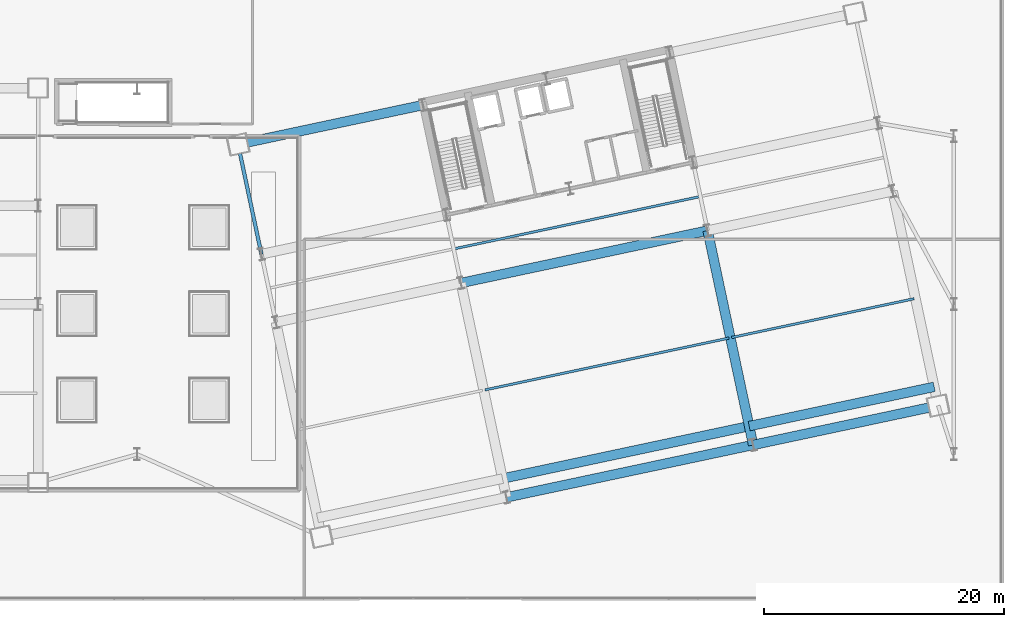
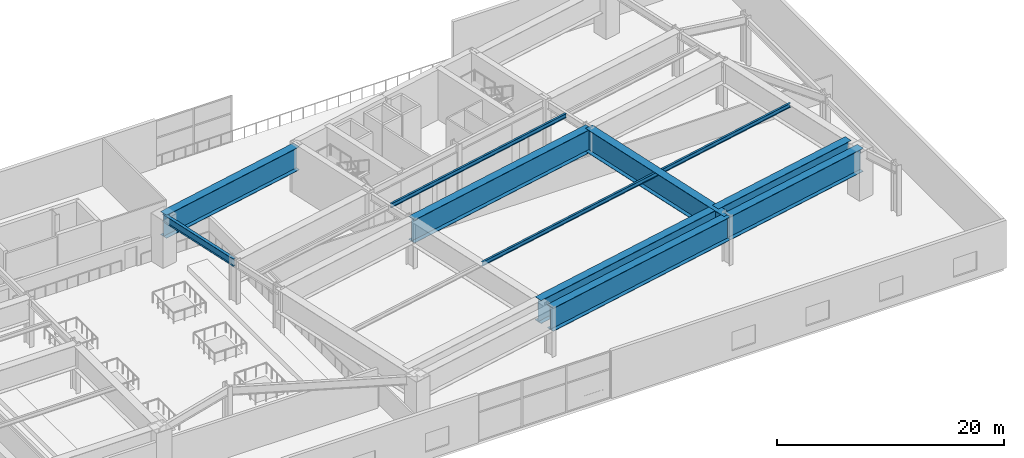
# One storey, part 11 of 29: 11 beams.
"""IFC4 building model written with IfcOpenShell, lengths in metres."""

from ifc_helpers import new_model, si_unit, direction, frame, origin, origin_2d, place, context, subcontext, project, spatial, i_section, extrude, material, material_profile, profile_set, type_object, element, save


model = new_model("IFC4")

# Units and contexts
model_context = context("Model", 3, precision=1e-05, world=origin(), true_north=direction((0.0, 1.0)))
body_context = subcontext(model_context, "Body", "Model", "MODEL_VIEW")
ifc_project = project(units=[si_unit("LENGTHUNIT", "METRE"), si_unit("AREAUNIT", "SQUARE_METRE"), si_unit("VOLUMEUNIT", "CUBIC_METRE"), si_unit("PLANEANGLEUNIT", "RADIAN"), si_unit("MASSUNIT", "GRAM", prefix="KILO")], contexts=[model_context])

# Site, building, storey
site_placement = place(None, origin())
site = spatial("IfcSite", under=ifc_project, at=site_placement, CompositionType="ELEMENT")
building_placement = place(site_placement, origin())
building = spatial("IfcBuilding", under=site, at=building_placement, Name="Haevon Station Towers", CompositionType="ELEMENT")
storey_placement = place(building_placement, frame((0.0, 0.0, 25.199951171875)))
storey = spatial("IfcBuildingStorey", under=building, at=storey_placement, Name="L05", CompositionType="ELEMENT", Elevation=25.199951171875)

# Beams
ifc_material_1 = material(Name="Steel S355", Category="steel")
ifc_material_profile_1 = material_profile(ifc_material_1, i_section(OverallWidth=0.199951171875, OverallDepth=0.449951171875, WebThickness=0.009033203125, FlangeThickness=0.013916015625, at=origin_2d()), Name="H-450x200x9x14")
ifc_profile_set_1 = profile_set([ifc_material_profile_1], Name="Steel S355")
beam_type_1 = type_object("IfcBeamType", Name="BM-J450", PredefinedType="JOIST", material=ifc_profile_set_1)
beam_1_placement = place(storey_placement, frame((101.963134765625, 22.866455078125, 4.925048828125), z_axis=(0.97814804034, 0.207909622623, 0.0), x_axis=(-0.207909622623, 0.97814804034, 0.0)))
element("IfcBeam", 1, at=beam_1_placement, inside=storey, type_object=beam_type_1, Name="BM-T2J-L05-01-02", PredefinedType="JOIST", context=body_context, shape_type="SweptSolid", body=[
    extrude(i_section(OverallWidth=0.199951171875, OverallDepth=0.449951171875, WebThickness=0.009033203125, FlangeThickness=0.013916015625, at=origin_2d()), origin(), (0.0, 0.0, 1.0), 20.77978515625),
])
beam_2_placement = place(storey_placement, frame((122.504150390625, 27.232666015625, 4.925048828125), z_axis=(0.978149141128, 0.207904443699, 0.0), x_axis=(-0.207904443699, 0.978149141128, 0.0)))
element("IfcBeam", 2, at=beam_2_placement, inside=storey, type_object=beam_type_1, Name="BM-T2J-L05-01-03", PredefinedType="JOIST", context=body_context, shape_type="SweptSolid", body=[
    extrude(i_section(OverallWidth=0.199951171875, OverallDepth=0.449951171875, WebThickness=0.009033203125, FlangeThickness=0.013916015625, at=origin_2d()), origin(), (0.0, 0.0, 1.0), 15.530029296875),
])
beam_3_placement = place(storey_placement, frame((99.462890625, 34.628662109375, 4.925048828125), z_axis=(0.978148548197, 0.207907233306, 0.0), x_axis=(-0.207907233306, 0.978148548197, 0.0)))
element("IfcBeam", 3, at=beam_3_placement, inside=storey, type_object=beam_type_1, Name="BM-T2J-L05-02-02", PredefinedType="JOIST", context=body_context, shape_type="SweptSolid", body=[
    extrude(i_section(OverallWidth=0.199951171875, OverallDepth=0.449951171875, WebThickness=0.009033203125, FlangeThickness=0.013916015625, at=origin_2d()), origin(), (0.0, 0.0, 1.0), 20.780029296875),
])
ifc_material_profile_2 = material_profile(ifc_material_1, i_section(OverallWidth=0.300048828125, OverallDepth=0.800048828125, WebThickness=0.013916015625, FlangeThickness=0.02587890625, at=origin_2d()), Name="H-800x300x14x26")
ifc_profile_set_2 = profile_set([ifc_material_profile_2], Name="Steel S355")
beam_type_2 = type_object("IfcBeamType", Name="BM-PG800", PredefinedType="BEAM", material=ifc_profile_set_2)
beam_4_placement = place(storey_placement, frame((83.346435546875, 34.167724609375, 4.75), z_axis=(-0.207897167074, 0.978150687738, 0.0), x_axis=(-0.978150687738, -0.207897167074, 0.0)))
element("IfcBeam", 4, at=beam_4_placement, inside=storey, type_object=beam_type_2, Name="BM-T2V-L05-01-03", PredefinedType="BEAM", context=body_context, shape_type="SweptSolid", body=[
    extrude(i_section(OverallWidth=0.300048828125, OverallDepth=0.800048828125, WebThickness=0.013916015625, FlangeThickness=0.02587890625, at=origin_2d()), origin(), (0.0, 0.0, 1.0), 9.35009765625),
])
ifc_material_2 = material(Name="Steel S460", Category="steel")
ifc_material_profile_3 = material_profile(ifc_material_2, i_section(OverallWidth=0.800048828125, OverallDepth=2.5, WebThickness=0.031982421875, FlangeThickness=0.0400390625, at=origin_2d()), Name="H-2500x800x32x40")
ifc_profile_set_3 = profile_set([ifc_material_profile_3], Name="Steel S460")
beam_type_3 = type_object("IfcBeamType", Name="BM-TG2500", PredefinedType="BEAM", material=ifc_profile_set_3)
beam_5_placement = place(storey_placement, frame((103.752685546875, 13.91796875, 3.900146484375), z_axis=(0.978146794194, 0.207915485254, 0.0), x_axis=(-0.207915485254, 0.978146794194, 0.0)))
element("IfcBeam", 5, at=beam_5_placement, inside=storey, type_object=beam_type_3, Name="BM-T2U-L05-01-02", PredefinedType="BEAM", context=body_context, shape_type="SweptSolid", body=[
    extrude(i_section(OverallWidth=0.800048828125, OverallDepth=2.5, WebThickness=0.031982421875, FlangeThickness=0.0400390625, at=origin_2d()), origin(), (0.0, 0.0, 1.0), 21.0),
])
beam_6_placement = place(storey_placement, frame((124.293701171875, 18.2841796875, 3.900146484375), z_axis=(0.978146794194, 0.207915485254, 0.0), x_axis=(-0.207915485254, 0.978146794194, 0.0)))
element("IfcBeam", 6, at=beam_6_placement, inside=storey, type_object=beam_type_3, Name="BM-T2U-L05-01-04", PredefinedType="BEAM", context=body_context, shape_type="SweptSolid", body=[
    extrude(i_section(OverallWidth=0.800048828125, OverallDepth=2.5, WebThickness=0.031982421875, FlangeThickness=0.0400390625, at=origin_2d()), origin(), (0.0, 0.0, 1.0), 15.75),
])
beam_7_placement = place(storey_placement, frame((99.958251953125, 31.76904296875, 3.900146484375), z_axis=(0.978146794194, 0.207915485254, 0.0), x_axis=(-0.207915485254, 0.978146794194, 0.0)))
element("IfcBeam", 7, at=beam_7_placement, inside=storey, type_object=beam_type_3, Name="BM-T2U-L05-02-02", PredefinedType="BEAM", context=body_context, shape_type="SweptSolid", body=[
    extrude(i_section(OverallWidth=0.800048828125, OverallDepth=2.5, WebThickness=0.031982421875, FlangeThickness=0.0400390625, at=origin_2d()), origin(), (0.0, 0.0, 1.0), 21.0),
])
beam_8_placement = place(storey_placement, frame((81.402587890625, 43.3134765625, 3.900146484375), z_axis=(0.978146794194, 0.207915485254, 0.0), x_axis=(-0.207915485254, 0.978146794194, 0.0)))
element("IfcBeam", 8, at=beam_8_placement, inside=storey, type_object=beam_type_3, Name="BM-T2U-L05-04-01", PredefinedType="BEAM", context=body_context, shape_type="SweptSolid", body=[
    extrude(i_section(OverallWidth=0.800048828125, OverallDepth=2.5, WebThickness=0.031982421875, FlangeThickness=0.0400390625, at=origin_2d()), origin(), (0.0, 0.0, 1.0), 15.75),
])
beam_9_placement = place(storey_placement, frame((124.293701171875, 18.2841796875, 3.900146484375), z_axis=(-0.207915393978, 0.978146813595, 0.0), x_axis=(-0.978146813595, -0.207915393978, 0.0)))
element("IfcBeam", 9, at=beam_9_placement, inside=storey, type_object=beam_type_3, Name="BM-T2V-L05-04-01", PredefinedType="BEAM", context=body_context, shape_type="SweptSolid", body=[
    extrude(i_section(OverallWidth=0.800048828125, OverallDepth=2.5, WebThickness=0.031982421875, FlangeThickness=0.0400390625, at=origin_2d()), origin(), (0.0, 0.0, 1.0), 18.25),
])
beam_10_placement = place(storey_placement, frame((103.419921875, 15.48291015625, 3.900146484375), z_axis=(0.978147296754, 0.207913120924, 0.0), x_axis=(-0.207913120924, 0.978147296754, 0.0)))
element("IfcBeam", 10, at=beam_10_placement, inside=storey, type_object=beam_type_3, Name="BM-L05-T2TRN-2", PredefinedType="BEAM", context=body_context, shape_type="SweptSolid", body=[
    extrude(i_section(OverallWidth=0.800048828125, OverallDepth=2.5, WebThickness=0.031982421875, FlangeThickness=0.0400390625, at=origin_2d()), origin(), (0.0, 0.0, 1.0), 21.000244140625),
])
beam_11_placement = place(storey_placement, frame((123.961181640625, 19.84912109375, 3.900146484375), z_axis=(0.978146794194, 0.207915485254, 0.0), x_axis=(-0.207915485254, 0.978146794194, 0.0)))
element("IfcBeam", 11, at=beam_11_placement, inside=storey, type_object=beam_type_3, Name="BM-L05-T2TRN-3", PredefinedType="BEAM", context=body_context, shape_type="SweptSolid", body=[
    extrude(i_section(OverallWidth=0.800048828125, OverallDepth=2.5, WebThickness=0.031982421875, FlangeThickness=0.0400390625, at=origin_2d()), origin(), (0.0, 0.0, 1.0), 15.75),
])

save(model, "model.ifc")
